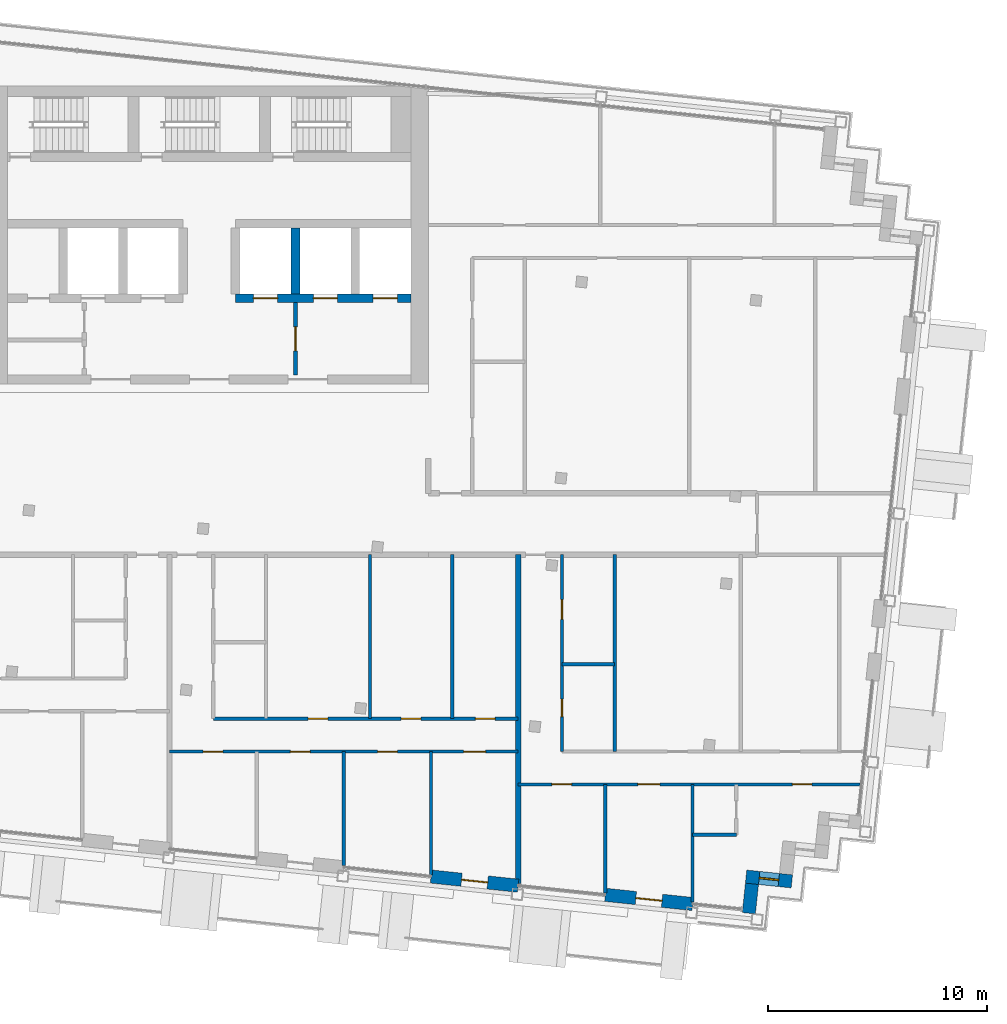
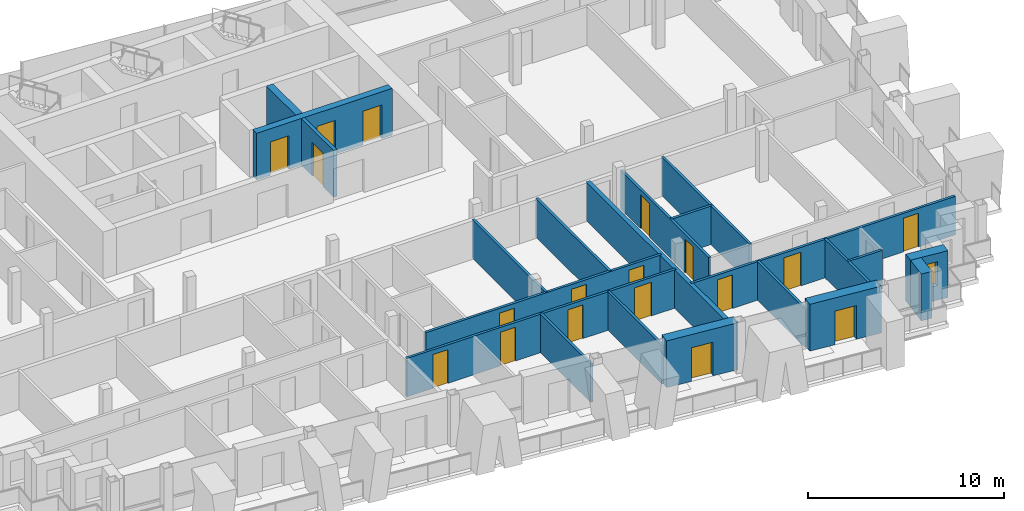
# One storey, part 10 of 17: 21 walls, 18 doors, 1 window, 19 openings.
"""IFC4 building model written with IfcOpenShell, lengths in metres."""

from ifc_helpers import new_model, si_unit, direction, frame, frame_2d, origin, place, context, subcontext, project, spatial, rectangle, extrude, material, layer, layer_set, type_object, element, fill, save


model = new_model("IFC4")

# Units and contexts
model_context = context("Model", 3, precision=1e-05, world=origin(), true_north=direction((0.0, 1.0)))
body_context = subcontext(model_context, "Body", "Model", "MODEL_VIEW")
ifc_project = project(units=[si_unit("LENGTHUNIT", "METRE"), si_unit("AREAUNIT", "SQUARE_METRE"), si_unit("VOLUMEUNIT", "CUBIC_METRE"), si_unit("PLANEANGLEUNIT", "RADIAN"), si_unit("MASSUNIT", "GRAM", prefix="KILO")], contexts=[model_context])

# Site, building, storey
site_placement = place(None, origin())
site = spatial("IfcSite", under=ifc_project, at=site_placement, CompositionType="ELEMENT")
building_placement = place(site_placement, origin())
building = spatial("IfcBuilding", under=site, at=building_placement, Name="Vidyagriha Tower", CompositionType="ELEMENT")
storey_placement = place(building_placement, frame((0.0, 0.0, 262.699951171875)))
storey = spatial("IfcBuildingStorey", under=building, at=storey_placement, Name="L68", CompositionType="ELEMENT", Elevation=262.699951171875)

# Wall, opening, door
ifc_material_1 = material(Name="Precast concrete C40/50 with brick facing", Category="concrete")
ifc_layer_1 = layer(ifc_material_1, 0.60009765625)
ifc_layer_set_1 = layer_set([ifc_layer_1], Name="Precast concrete C40/50 with brick facing")
wall_type_1 = type_object("IfcWallType", Name="Brick-faced precast wall 600", PredefinedType="STANDARD", material=ifc_layer_set_1)
wall_1_placement = place(storey_placement, frame((10.1201171875, -16.085205078125, 0.0), z_axis=(0.0, 0.0, 1.0), x_axis=(0.994519156568, -0.104554517933, 0.0)))
wall_1 = element("IfcWall", 1, at=wall_1_placement, inside=storey, type_object=wall_type_1, Name="Brick door bay wall L68 R21.9", PredefinedType="STANDARD", context=body_context, shape_type="SweptSolid", body=[
    extrude(rectangle(XDim=4.0, YDim=0.60009765625, at=frame_2d((2.0, 0.0))), origin(), (0.0, 0.0, 1.0), 2.920166015625),
])
opening_1_placement = place(wall_1_placement, frame((1.39990234375, 0.0, 0.0)))
opening_1 = element("IfcOpeningElement", 2, at=opening_1_placement, cuts=wall_1, Name="Opening D68-63", PredefinedType="OPENING", context=body_context, shape_type="SweptSolid", body=[
    extrude(rectangle(XDim=1.199951171875, YDim=2.10009765625, at=frame_2d((0.60009765625, 1.050048828125))), frame((0.0, 0.31005859375, 0.0), z_axis=(0.0, -1.0, 0.0), x_axis=(1.0, 0.0, 0.0)), (0.0, 0.0, 1.0), 0.6201171875),
])
ifc_material_2 = material(Name="Aluminium framed glazed sliding door", Category="aluminium")
door_type_1 = type_object("IfcDoorType", Name="Balcony sliding door 1200x2100", OperationType="NOTDEFINED", PredefinedType="DOOR", material=ifc_material_2)
door_1_placement = place(opening_1_placement, origin())
door_1 = element("IfcDoor", 3, at=door_1_placement, inside=storey, type_object=door_type_1, Name="Door D68-63", OperationType="SLIDING_TO_LEFT", OverallHeight=2.10009765625, OverallWidth=1.199951171875, PredefinedType="DOOR", context=body_context, shape_type="SweptSolid", body=[
    extrude(rectangle(XDim=1.199951171875, YDim=2.10009765625, at=frame_2d((0.60009765625, 1.050048828125))), frame((0.0, 0.02490234375, 0.0), z_axis=(0.0, -1.0, 0.0), x_axis=(1.0, 0.0, 0.0)), (0.0, 0.0, 1.0), 0.050048828125),
])
fill(opening_1, door_1)

wall_2_placement = place(storey_placement, frame((18.076171875, -16.92138671875, 0.0), z_axis=(0.0, 0.0, 1.0), x_axis=(0.994519156568, -0.104554517933, 0.0)))
wall_2 = element("IfcWall", 4, at=wall_2_placement, inside=storey, type_object=wall_type_1, Name="Brick door bay wall L68 R21.11", PredefinedType="STANDARD", context=body_context, shape_type="SweptSolid", body=[
    extrude(rectangle(XDim=4.0, YDim=0.60009765625, at=frame_2d((2.0, 0.0))), origin(), (0.0, 0.0, 1.0), 2.920166015625),
])
opening_2_placement = place(wall_2_placement, frame((1.39990234375, 0.0, 0.0)))
opening_2 = element("IfcOpeningElement", 5, at=opening_2_placement, cuts=wall_2, Name="Opening D68-64", PredefinedType="OPENING", context=body_context, shape_type="SweptSolid", body=[
    extrude(rectangle(XDim=1.199951171875, YDim=2.10009765625, at=frame_2d((0.60009765625, 1.050048828125))), frame((0.0, 0.31005859375, 0.0), z_axis=(0.0, -1.0, 0.0), x_axis=(1.0, 0.0, 0.0)), (0.0, 0.0, 1.0), 0.6201171875),
])
door_2_placement = place(opening_2_placement, origin())
door_2 = element("IfcDoor", 6, at=door_2_placement, inside=storey, type_object=door_type_1, Name="Door D68-64", OperationType="SLIDING_TO_LEFT", OverallHeight=2.10009765625, OverallWidth=1.199951171875, PredefinedType="DOOR", context=body_context, shape_type="SweptSolid", body=[
    extrude(rectangle(XDim=1.199951171875, YDim=2.10009765625, at=frame_2d((0.60009765625, 1.050048828125))), frame((0.0, 0.02490234375, 0.0), z_axis=(0.0, -1.0, 0.0), x_axis=(1.0, 0.0, 0.0)), (0.0, 0.0, 1.0), 0.050048828125),
])
fill(opening_2, door_2)

# Wall
wall_3_placement = place(storey_placement, frame((24.62451171875, -17.760498046875, 0.0), z_axis=(0.0, 0.0, 1.0), x_axis=(0.104355269718, 0.994540083497, 0.0)))
element("IfcWall", 7, at=wall_3_placement, inside=storey, type_object=wall_type_1, Name="Stepped corner wall L68 R22", PredefinedType="STANDARD", context=body_context, shape_type="SweptSolid", body=[
    extrude(rectangle(XDim=1.349853515625, YDim=0.60009765625, at=frame_2d((0.6748046875, 0.0))), origin(), (0.0, 0.0, 1.0), 2.920166015625),
])

# Wall, opening, window
wall_4_placement = place(storey_placement, frame((24.49853515625, -16.088134765625, 0.0), z_axis=(0.0, 0.0, 1.0), x_axis=(0.994522640205, -0.104521376379, 0.0)))
wall_4 = element("IfcWall", 8, at=wall_4_placement, inside=storey, type_object=wall_type_1, Name="Stepped corner wall L68 R23", PredefinedType="STANDARD", context=body_context, shape_type="SweptSolid", body=[
    extrude(rectangle(XDim=2.099853515625, YDim=0.60009765625, at=frame_2d((1.0498046875, 0.0))), origin(), (0.0, 0.0, 1.0), 2.920166015625),
])
opening_3_placement = place(wall_4_placement, frame((0.60009765625, 0.0, 0.89990234375)))
opening_3 = element("IfcOpeningElement", 9, at=opening_3_placement, cuts=wall_4, Name="Opening WN1", PredefinedType="OPENING", context=body_context, shape_type="SweptSolid", body=[
    extrude(rectangle(XDim=0.89990234375, YDim=1.5, at=frame_2d((0.449951171875, 0.75))), frame((0.0, 0.31005859375, 0.0), z_axis=(0.0, -1.0, 0.0), x_axis=(1.0, 0.0, 0.0)), (0.0, 0.0, 1.0), 0.6201171875),
])
ifc_material_3 = material(Name="Aluminium and glass window", Category="aluminium")
window_type = type_object("IfcWindowType", Name="Reveal window 900x1500", PartitioningType="NOTDEFINED", PredefinedType="WINDOW", material=ifc_material_3)
window_placement = place(opening_3_placement, origin())
window = element("IfcWindow", 10, at=window_placement, inside=storey, type_object=window_type, Name="Reveal window L68 R23", OverallHeight=1.5, OverallWidth=0.89990234375, PartitioningType="SINGLE_PANEL", PredefinedType="WINDOW", context=body_context, shape_type="SweptSolid", body=[
    extrude(rectangle(XDim=0.89990234375, YDim=1.5, at=frame_2d((0.449951171875, 0.75))), frame((0.0, 0.030029296875, 0.0), z_axis=(0.0, -1.0, 0.0), x_axis=(1.0, 0.0, 0.0)), (0.0, 0.0, 1.0), 0.06005859375),
])
fill(opening_3, window)

# Wall, openings, doors
ifc_material_4 = material(Name="Concrete C60/75", Category="concrete")
ifc_layer_2 = layer(ifc_material_4, 0.39990234375)
ifc_layer_set_2 = layer_set([ifc_layer_2], Name="Concrete C60/75")
wall_type_2 = type_object("IfcWallType", Name="Core shear wall 400 mm", PredefinedType="SHEAR", material=ifc_layer_set_2)
wall_5_placement = place(storey_placement, frame((1.199951171875, 10.300048828125, 0.0)))
wall_5 = element("IfcWall", 11, at=wall_5_placement, inside=storey, type_object=wall_type_2, Name="Core row N front wall", PredefinedType="SHEAR", context=body_context, shape_type="SweptSolid", body=[
    extrude(rectangle(XDim=8.0, YDim=0.39990234375, at=frame_2d((4.0, 0.0))), origin(), (0.0, 0.0, 1.0), 2.920166015625),
])
opening_4_placement = place(wall_5_placement, frame((0.816650390625, 0.0, 0.0)))
opening_4 = element("IfcOpeningElement", 12, at=opening_4_placement, cuts=wall_5, Name="Opening LD68-03", PredefinedType="OPENING", context=body_context, shape_type="SweptSolid", body=[
    extrude(rectangle(XDim=1.10009765625, YDim=2.10009765625, at=frame_2d((0.550048828125, 1.050048828125))), frame((0.0, 0.2099609375, 0.0), z_axis=(0.0, -1.0, 0.0), x_axis=(1.0, 0.0, 0.0)), (0.0, 0.0, 1.0), 0.419921875),
])
opening_5_placement = place(wall_5_placement, frame((3.550048828125, 0.0, 0.0)))
opening_5 = element("IfcOpeningElement", 13, at=opening_5_placement, cuts=wall_5, Name="Opening LD68-04", PredefinedType="OPENING", context=body_context, shape_type="SweptSolid", body=[
    extrude(rectangle(XDim=1.10009765625, YDim=2.10009765625, at=frame_2d((0.550048828125, 1.050048828125))), frame((0.0, 0.2099609375, 0.0), z_axis=(0.0, -1.0, 0.0), x_axis=(1.0, 0.0, 0.0)), (0.0, 0.0, 1.0), 0.419921875),
])
opening_6_placement = place(wall_5_placement, frame((6.283203125, 0.0, 0.0)))
opening_6 = element("IfcOpeningElement", 14, at=opening_6_placement, cuts=wall_5, Name="Opening LD68-05", PredefinedType="OPENING", context=body_context, shape_type="SweptSolid", body=[
    extrude(rectangle(XDim=1.10009765625, YDim=2.10009765625, at=frame_2d((0.550048828125, 1.050048828125))), frame((0.0, 0.2099609375, 0.0), z_axis=(0.0, -1.0, 0.0), x_axis=(1.0, 0.0, 0.0)), (0.0, 0.0, 1.0), 0.419921875),
])
ifc_material_5 = material(Name="Stainless steel sliding door panel", Category="steel")
door_type_2 = type_object("IfcDoorType", Name="Lift landing door 1100 x 2100 mm EI 90", OperationType="NOTDEFINED", PredefinedType="DOOR", material=ifc_material_5)
door_3_placement = place(opening_4_placement, origin())
door_3 = element("IfcDoor", 15, at=door_3_placement, inside=storey, type_object=door_type_2, Name="Landing door HR3 L68", OperationType="SLIDING_TO_LEFT", OverallHeight=2.10009765625, OverallWidth=1.10009765625, PredefinedType="DOOR", context=body_context, shape_type="SweptSolid", body=[
    extrude(rectangle(XDim=1.10009765625, YDim=2.10009765625, at=frame_2d((0.550048828125, 1.050048828125))), frame((0.0, 0.02490234375, 0.0), z_axis=(0.0, -1.0, 0.0), x_axis=(1.0, 0.0, 0.0)), (0.0, 0.0, 1.0), 0.050048828125),
])
fill(opening_4, door_3)
door_4_placement = place(opening_5_placement, origin())
door_4 = element("IfcDoor", 16, at=door_4_placement, inside=storey, type_object=door_type_2, Name="Landing door FF1 L68", OperationType="SLIDING_TO_LEFT", OverallHeight=2.10009765625, OverallWidth=1.10009765625, PredefinedType="DOOR", context=body_context, shape_type="SweptSolid", body=[
    extrude(rectangle(XDim=1.10009765625, YDim=2.10009765625, at=frame_2d((0.550048828125, 1.050048828125))), frame((0.0, 0.02490234375, 0.0), z_axis=(0.0, -1.0, 0.0), x_axis=(1.0, 0.0, 0.0)), (0.0, 0.0, 1.0), 0.050048828125),
])
fill(opening_5, door_4)
door_5_placement = place(opening_6_placement, origin())
door_5 = element("IfcDoor", 17, at=door_5_placement, inside=storey, type_object=door_type_2, Name="Landing door FF2 L68", OperationType="SLIDING_TO_LEFT", OverallHeight=2.10009765625, OverallWidth=1.10009765625, PredefinedType="DOOR", context=body_context, shape_type="SweptSolid", body=[
    extrude(rectangle(XDim=1.10009765625, YDim=2.10009765625, at=frame_2d((0.550048828125, 1.050048828125))), frame((0.0, 0.02490234375, 0.0), z_axis=(0.0, -1.0, 0.0), x_axis=(1.0, 0.0, 0.0)), (0.0, 0.0, 1.0), 0.050048828125),
])
fill(opening_6, door_5)

# Walls
wall_6_placement = place(storey_placement, frame((3.933349609375, 10.5, 0.0), z_axis=(0.0, 0.0, 1.0), x_axis=(0.0, 1.0, 0.0)))
element("IfcWall", 18, at=wall_6_placement, inside=storey, type_object=wall_type_2, Name="Core bay wall N5", PredefinedType="SHEAR", context=body_context, shape_type="SweptSolid", body=[
    extrude(rectangle(XDim=3.0, YDim=0.39990234375, at=frame_2d((1.5, 0.0))), origin(), (0.0, 0.0, 1.0), 2.920166015625),
])
ifc_material_6 = material(Name="Fired clay brick masonry", Category="masonry")
ifc_layer_3 = layer(ifc_material_6, 0.25)
ifc_layer_set_3 = layer_set([ifc_layer_3], Name="Fired clay brick masonry")
wall_type_3 = type_object("IfcWallType", Name="Fired clay brick demising wall 250", PredefinedType="PARTITIONING", material=ifc_layer_set_3)
wall_7_placement = place(storey_placement, frame((14.097900390625, -1.39990234375, 0.0), z_axis=(0.0, 0.0, 1.0), x_axis=(0.0, -1.0, 0.0)))
element("IfcWall", 19, at=wall_7_placement, inside=storey, type_object=wall_type_3, Name="Wall all-L68-w063", PredefinedType="PARTITIONING", context=body_context, shape_type="SweptSolid", body=[
    extrude(rectangle(XDim=15.012939453125, YDim=0.25, at=frame_2d((7.50634765625, 0.0))), origin(), (0.0, 0.0, 1.0), 2.400146484375),
])
ifc_material_7 = material(Name="Gypsum board partition")
ifc_layer_4 = layer(ifc_material_7, 0.14990234375)
ifc_layer_set_4 = layer_set([ifc_layer_4], Name="Gypsum board partition")
wall_type_4 = type_object("IfcWallType", Name="Gypsum board partition 150", PredefinedType="PARTITIONING", material=ifc_layer_set_4)
for number, where, z_axis, x_axis, name in (
    (20, (7.3359375, -1.39990234375, 0.0), (0.0, 0.0, 1.0), (0.0, -1.0, 0.0), "Wall all-L68-w026"),
    (21, (11.0859375, -1.39990234375, 0.0), (0.0, 0.0, 1.0), (0.0, -1.0, 0.0), "Wall all-L68-w027"),
):
    element("IfcWall", number, at=place(storey_placement, frame(where, z_axis=z_axis, x_axis=x_axis)), inside=storey, type_object=wall_type_4, Name=name, PredefinedType="PARTITIONING", context=body_context, shape_type="SweptSolid", body=[
        extrude(rectangle(XDim=7.483642578125, YDim=0.14990234375, at=frame_2d((3.74169921875, 0.0))), origin(), (0.0, 0.0, 1.0), 2.400146484375),
    ])

# Wall, openings, doors
wall_8_placement = place(storey_placement, frame((0.18603515625, -8.883544921875, 0.0)))
wall_8 = element("IfcWall", 22, at=wall_8_placement, inside=storey, type_object=wall_type_4, Name="Wall all-L68-w028", PredefinedType="PARTITIONING", context=body_context, shape_type="SweptSolid", body=[
    extrude(rectangle(XDim=13.911865234375, YDim=0.14990234375, at=frame_2d((6.9560546875, 0.0))), origin(), (0.0, 0.0, 1.0), 2.400146484375),
])
opening_7_placement = place(wall_8_placement, frame((4.324951171875, 0.0, 0.0)))
opening_7 = element("IfcOpeningElement", 23, at=opening_7_placement, cuts=wall_8, Name="Opening D68-23", PredefinedType="OPENING", context=body_context, shape_type="SweptSolid", body=[
    extrude(rectangle(XDim=0.89990234375, YDim=2.10009765625, at=frame_2d((0.449951171875, 1.050048828125))), frame((0.0, 0.0849609375, 0.0), z_axis=(0.0, -1.0, 0.0), x_axis=(1.0, 0.0, 0.0)), (0.0, 0.0, 1.0), 0.169921875),
])
opening_8_placement = place(wall_8_placement, frame((8.574951171875, 0.0, 0.0)))
opening_8 = element("IfcOpeningElement", 24, at=opening_8_placement, cuts=wall_8, Name="Opening D68-24", PredefinedType="OPENING", context=body_context, shape_type="SweptSolid", body=[
    extrude(rectangle(XDim=0.89990234375, YDim=2.10009765625, at=frame_2d((0.449951171875, 1.050048828125))), frame((0.0, 0.0849609375, 0.0), z_axis=(0.0, -1.0, 0.0), x_axis=(1.0, 0.0, 0.0)), (0.0, 0.0, 1.0), 0.169921875),
])
opening_9_placement = place(wall_8_placement, frame((11.9560546875, 0.0, 0.0)))
opening_9 = element("IfcOpeningElement", 25, at=opening_9_placement, cuts=wall_8, Name="Opening D68-25", PredefinedType="OPENING", context=body_context, shape_type="SweptSolid", body=[
    extrude(rectangle(XDim=0.89990234375, YDim=2.10009765625, at=frame_2d((0.449951171875, 1.050048828125))), frame((0.0, 0.0849609375, 0.0), z_axis=(0.0, -1.0, 0.0), x_axis=(1.0, 0.0, 0.0)), (0.0, 0.0, 1.0), 0.169921875),
])
ifc_material_8 = material(Name="Timber door leaf", Category="wood")
door_type_3 = type_object("IfcDoorType", Name="Room door 900x2100", OperationType="NOTDEFINED", PredefinedType="DOOR", material=ifc_material_8)
door_6_placement = place(opening_7_placement, origin())
door_6 = element("IfcDoor", 26, at=door_6_placement, inside=storey, type_object=door_type_3, Name="Door D68-23", OperationType="SINGLE_SWING_RIGHT", OverallHeight=2.10009765625, OverallWidth=0.89990234375, PredefinedType="DOOR", context=body_context, shape_type="SweptSolid", body=[
    extrude(rectangle(XDim=0.89990234375, YDim=2.10009765625, at=frame_2d((0.449951171875, 1.050048828125))), frame((0.0, 0.02490234375, 0.0), z_axis=(0.0, -1.0, 0.0), x_axis=(1.0, 0.0, 0.0)), (0.0, 0.0, 1.0), 0.050048828125),
])
fill(opening_7, door_6)
door_7_placement = place(opening_8_placement, origin())
door_7 = element("IfcDoor", 27, at=door_7_placement, inside=storey, type_object=door_type_3, Name="Door D68-24", OperationType="SINGLE_SWING_RIGHT", OverallHeight=2.10009765625, OverallWidth=0.89990234375, PredefinedType="DOOR", context=body_context, shape_type="SweptSolid", body=[
    extrude(rectangle(XDim=0.89990234375, YDim=2.10009765625, at=frame_2d((0.449951171875, 1.050048828125))), frame((0.0, 0.02490234375, 0.0), z_axis=(0.0, -1.0, 0.0), x_axis=(1.0, 0.0, 0.0)), (0.0, 0.0, 1.0), 0.050048828125),
])
fill(opening_8, door_7)
door_8_placement = place(opening_9_placement, origin())
door_8 = element("IfcDoor", 28, at=door_8_placement, inside=storey, type_object=door_type_3, Name="Door D68-25", OperationType="SINGLE_SWING_RIGHT", OverallHeight=2.10009765625, OverallWidth=0.89990234375, PredefinedType="DOOR", context=body_context, shape_type="SweptSolid", body=[
    extrude(rectangle(XDim=0.89990234375, YDim=2.10009765625, at=frame_2d((0.449951171875, 1.050048828125))), frame((0.0, 0.02490234375, 0.0), z_axis=(0.0, -1.0, 0.0), x_axis=(1.0, 0.0, 0.0)), (0.0, 0.0, 1.0), 0.050048828125),
])
fill(opening_9, door_8)

wall_9_placement = place(storey_placement, frame((14.097900390625, -10.383544921875, 0.0), z_axis=(0.0, 0.0, 1.0), x_axis=(-1.0, 0.0, 0.0)))
wall_9 = element("IfcWall", 29, at=wall_9_placement, inside=storey, type_object=wall_type_4, Name="Wall all-L68-w032", PredefinedType="PARTITIONING", context=body_context, shape_type="SweptSolid", body=[
    extrude(rectangle(XDim=15.911865234375, YDim=0.14990234375, at=frame_2d((7.9560546875, 0.0))), origin(), (0.0, 0.0, 1.0), 2.400146484375),
])
opening_10_placement = place(wall_9_placement, frame((13.47314453125, 0.0, 0.0)))
opening_10 = element("IfcOpeningElement", 30, at=opening_10_placement, cuts=wall_9, Name="Opening D68-26", PredefinedType="OPENING", context=body_context, shape_type="SweptSolid", body=[
    extrude(rectangle(XDim=0.89990234375, YDim=2.10009765625, at=frame_2d((0.449951171875, 1.050048828125))), frame((0.0, 0.0849609375, 0.0), z_axis=(0.0, -1.0, 0.0), x_axis=(1.0, 0.0, 0.0)), (0.0, 0.0, 1.0), 0.169921875),
])
opening_11_placement = place(wall_9_placement, frame((9.4951171875, 0.0, 0.0)))
opening_11 = element("IfcOpeningElement", 31, at=opening_11_placement, cuts=wall_9, Name="Opening D68-27", PredefinedType="OPENING", context=body_context, shape_type="SweptSolid", body=[
    extrude(rectangle(XDim=0.89990234375, YDim=2.10009765625, at=frame_2d((0.449951171875, 1.050048828125))), frame((0.0, 0.0849609375, 0.0), z_axis=(0.0, -1.0, 0.0), x_axis=(1.0, 0.0, 0.0)), (0.0, 0.0, 1.0), 0.169921875),
])
opening_12_placement = place(wall_9_placement, frame((5.51708984375, 0.0, 0.0)))
opening_12 = element("IfcOpeningElement", 32, at=opening_12_placement, cuts=wall_9, Name="Opening D68-28", PredefinedType="OPENING", context=body_context, shape_type="SweptSolid", body=[
    extrude(rectangle(XDim=0.89990234375, YDim=2.10009765625, at=frame_2d((0.449951171875, 1.050048828125))), frame((0.0, 0.0849609375, 0.0), z_axis=(0.0, -1.0, 0.0), x_axis=(1.0, 0.0, 0.0)), (0.0, 0.0, 1.0), 0.169921875),
])
opening_13_placement = place(wall_9_placement, frame((1.489013671875, 0.0, 0.0)))
opening_13 = element("IfcOpeningElement", 33, at=opening_13_placement, cuts=wall_9, Name="Opening D68-29", PredefinedType="OPENING", context=body_context, shape_type="SweptSolid", body=[
    extrude(rectangle(XDim=1.0, YDim=2.10009765625, at=frame_2d((0.5, 1.050048828125))), frame((0.0, 0.0849609375, 0.0), z_axis=(0.0, -1.0, 0.0), x_axis=(1.0, 0.0, 0.0)), (0.0, 0.0, 1.0), 0.169921875),
])
ifc_material_9 = material(Name="Timber door leaf", Category="wood")
door_type_4 = type_object("IfcDoorType", Name="Room door 1000x2100", OperationType="NOTDEFINED", PredefinedType="DOOR", material=ifc_material_9)
door_9_placement = place(opening_13_placement, origin())
door_9 = element("IfcDoor", 34, at=door_9_placement, inside=storey, type_object=door_type_4, Name="Door D68-29", OperationType="SINGLE_SWING_RIGHT", OverallHeight=2.10009765625, OverallWidth=1.0, PredefinedType="DOOR", context=body_context, shape_type="SweptSolid", body=[
    extrude(rectangle(XDim=1.0, YDim=2.10009765625, at=frame_2d((0.5, 1.050048828125))), frame((0.0, 0.02490234375, 0.0), z_axis=(0.0, -1.0, 0.0), x_axis=(1.0, 0.0, 0.0)), (0.0, 0.0, 1.0), 0.050048828125),
])
fill(opening_13, door_9)
door_10_placement = place(opening_10_placement, origin())
door_10 = element("IfcDoor", 35, at=door_10_placement, inside=storey, type_object=door_type_3, Name="Door D68-26", OperationType="SINGLE_SWING_RIGHT", OverallHeight=2.10009765625, OverallWidth=0.89990234375, PredefinedType="DOOR", context=body_context, shape_type="SweptSolid", body=[
    extrude(rectangle(XDim=0.89990234375, YDim=2.10009765625, at=frame_2d((0.449951171875, 1.050048828125))), frame((0.0, 0.02490234375, 0.0), z_axis=(0.0, -1.0, 0.0), x_axis=(1.0, 0.0, 0.0)), (0.0, 0.0, 1.0), 0.050048828125),
])
fill(opening_10, door_10)
door_11_placement = place(opening_11_placement, origin())
door_11 = element("IfcDoor", 36, at=door_11_placement, inside=storey, type_object=door_type_3, Name="Door D68-27", OperationType="SINGLE_SWING_LEFT", OverallHeight=2.10009765625, OverallWidth=0.89990234375, PredefinedType="DOOR", context=body_context, shape_type="SweptSolid", body=[
    extrude(rectangle(XDim=0.89990234375, YDim=2.10009765625, at=frame_2d((0.449951171875, 1.050048828125))), frame((0.0, 0.02490234375, 0.0), z_axis=(0.0, -1.0, 0.0), x_axis=(1.0, 0.0, 0.0)), (0.0, 0.0, 1.0), 0.050048828125),
])
fill(opening_11, door_11)
door_12_placement = place(opening_12_placement, origin())
door_12 = element("IfcDoor", 37, at=door_12_placement, inside=storey, type_object=door_type_3, Name="Door D68-28", OperationType="SINGLE_SWING_LEFT", OverallHeight=2.10009765625, OverallWidth=0.89990234375, PredefinedType="DOOR", context=body_context, shape_type="SweptSolid", body=[
    extrude(rectangle(XDim=0.89990234375, YDim=2.10009765625, at=frame_2d((0.449951171875, 1.050048828125))), frame((0.0, 0.02490234375, 0.0), z_axis=(0.0, -1.0, 0.0), x_axis=(1.0, 0.0, 0.0)), (0.0, 0.0, 1.0), 0.050048828125),
])
fill(opening_12, door_12)

# Walls
wall_10_placement = place(storey_placement, frame((6.141845703125, -10.383544921875, 0.0), z_axis=(0.0, 0.0, 1.0), x_axis=(0.0, -1.0, 0.0)))
element("IfcWall", 38, at=wall_10_placement, inside=storey, type_object=wall_type_4, Name="Wall all-L68-w038", PredefinedType="PARTITIONING", context=body_context, shape_type="SweptSolid", body=[
    extrude(rectangle(XDim=5.193115234375, YDim=0.14990234375, at=frame_2d((2.5966796875, 0.0))), origin(), (0.0, 0.0, 1.0), 2.400146484375),
])
wall_11_placement = place(storey_placement, frame((10.1201171875, -10.383544921875, 0.0), z_axis=(0.0, 0.0, 1.0), x_axis=(0.0, -1.0, 0.0)))
element("IfcWall", 39, at=wall_11_placement, inside=storey, type_object=wall_type_4, Name="Wall all-L68-w039", PredefinedType="PARTITIONING", context=body_context, shape_type="SweptSolid", body=[
    extrude(rectangle(XDim=5.6220703125, YDim=0.14990234375, at=frame_2d((2.81103515625, 0.0))), origin(), (0.0, 0.0, 1.0), 2.400146484375),
])
wall_12_placement = place(storey_placement, frame((18.498046875, -6.39990234375, 0.0), z_axis=(0.0, 0.0, 1.0), x_axis=(-1.0, 0.0, 0.0)))
element("IfcWall", 40, at=wall_12_placement, inside=storey, type_object=wall_type_4, Name="Wall all-L68-w045", PredefinedType="PARTITIONING", context=body_context, shape_type="SweptSolid", body=[
    extrude(rectangle(XDim=2.400146484375, YDim=0.14990234375, at=frame_2d((1.2001953125, 0.0))), origin(), (0.0, 0.0, 1.0), 2.400146484375),
])
wall_13_placement = place(storey_placement, frame((18.498046875, -1.39990234375, 0.0), z_axis=(0.0, 0.0, 1.0), x_axis=(0.0, -1.0, 0.0)))
element("IfcWall", 41, at=wall_13_placement, inside=storey, type_object=wall_type_4, Name="Wall all-L68-w046", PredefinedType="PARTITIONING", context=body_context, shape_type="SweptSolid", body=[
    extrude(rectangle(XDim=8.981689453125, YDim=0.14990234375, at=frame_2d((4.49072265625, 0.0))), origin(), (0.0, 0.0, 1.0), 2.400146484375),
])

# Wall, openings, doors
wall_14_placement = place(storey_placement, frame((29.6875, -11.881591796875, 0.0), z_axis=(0.0, 0.0, 1.0), x_axis=(-1.0, 0.0, 0.0)))
wall_14 = element("IfcWall", 42, at=wall_14_placement, inside=storey, type_object=wall_type_4, Name="Wall all-L68-w053", PredefinedType="PARTITIONING", context=body_context, shape_type="SweptSolid", body=[
    extrude(rectangle(XDim=15.589599609375, YDim=0.14990234375, at=frame_2d((7.794921875, 0.0))), origin(), (0.0, 0.0, 1.0), 2.400146484375),
])
opening_14_placement = place(wall_14_placement, frame((13.150390625, 0.0, 0.0)))
opening_14 = element("IfcOpeningElement", 43, at=opening_14_placement, cuts=wall_14, Name="Opening D68-36", PredefinedType="OPENING", context=body_context, shape_type="SweptSolid", body=[
    extrude(rectangle(XDim=0.89990234375, YDim=2.10009765625, at=frame_2d((0.449951171875, 1.050048828125))), frame((0.0, 0.0849609375, 0.0), z_axis=(0.0, -1.0, 0.0), x_axis=(1.0, 0.0, 0.0)), (0.0, 0.0, 1.0), 0.169921875),
])
opening_15_placement = place(wall_14_placement, frame((9.122314453125, 0.0, 0.0)))
opening_15 = element("IfcOpeningElement", 44, at=opening_15_placement, cuts=wall_14, Name="Opening D68-37", PredefinedType="OPENING", context=body_context, shape_type="SweptSolid", body=[
    extrude(rectangle(XDim=1.0, YDim=2.10009765625, at=frame_2d((0.5, 1.050048828125))), frame((0.0, 0.0849609375, 0.0), z_axis=(0.0, -1.0, 0.0), x_axis=(1.0, 0.0, 0.0)), (0.0, 0.0, 1.0), 0.169921875),
])
opening_16_placement = place(wall_14_placement, frame((2.181884765625, 0.0, 0.0)))
opening_16 = element("IfcOpeningElement", 45, at=opening_16_placement, cuts=wall_14, Name="Opening D68-38", PredefinedType="OPENING", context=body_context, shape_type="SweptSolid", body=[
    extrude(rectangle(XDim=0.89990234375, YDim=2.10009765625, at=frame_2d((0.449951171875, 1.050048828125))), frame((0.0, 0.0849609375, 0.0), z_axis=(0.0, -1.0, 0.0), x_axis=(1.0, 0.0, 0.0)), (0.0, 0.0, 1.0), 0.169921875),
])
door_13_placement = place(opening_15_placement, origin())
door_13 = element("IfcDoor", 46, at=door_13_placement, inside=storey, type_object=door_type_4, Name="Door D68-37", OperationType="SINGLE_SWING_RIGHT", OverallHeight=2.10009765625, OverallWidth=1.0, PredefinedType="DOOR", context=body_context, shape_type="SweptSolid", body=[
    extrude(rectangle(XDim=1.0, YDim=2.10009765625, at=frame_2d((0.5, 1.050048828125))), frame((0.0, 0.02490234375, 0.0), z_axis=(0.0, -1.0, 0.0), x_axis=(1.0, 0.0, 0.0)), (0.0, 0.0, 1.0), 0.050048828125),
])
fill(opening_15, door_13)
door_14_placement = place(opening_14_placement, origin())
door_14 = element("IfcDoor", 47, at=door_14_placement, inside=storey, type_object=door_type_3, Name="Door D68-36", OperationType="SINGLE_SWING_RIGHT", OverallHeight=2.10009765625, OverallWidth=0.89990234375, PredefinedType="DOOR", context=body_context, shape_type="SweptSolid", body=[
    extrude(rectangle(XDim=0.89990234375, YDim=2.10009765625, at=frame_2d((0.449951171875, 1.050048828125))), frame((0.0, 0.02490234375, 0.0), z_axis=(0.0, -1.0, 0.0), x_axis=(1.0, 0.0, 0.0)), (0.0, 0.0, 1.0), 0.050048828125),
])
fill(opening_14, door_14)
door_15_placement = place(opening_16_placement, origin())
door_15 = element("IfcDoor", 48, at=door_15_placement, inside=storey, type_object=door_type_3, Name="Door D68-38", OperationType="SINGLE_SWING_LEFT", OverallHeight=2.10009765625, OverallWidth=0.89990234375, PredefinedType="DOOR", context=body_context, shape_type="SweptSolid", body=[
    extrude(rectangle(XDim=0.89990234375, YDim=2.10009765625, at=frame_2d((0.449951171875, 1.050048828125))), frame((0.0, 0.02490234375, 0.0), z_axis=(0.0, -1.0, 0.0), x_axis=(1.0, 0.0, 0.0)), (0.0, 0.0, 1.0), 0.050048828125),
])
fill(opening_16, door_15)

# Walls
wall_15_placement = place(storey_placement, frame((18.076171875, -11.881591796875, 0.0), z_axis=(0.0, 0.0, 1.0), x_axis=(0.0, -1.0, 0.0)))
element("IfcWall", 49, at=wall_15_placement, inside=storey, type_object=wall_type_4, Name="Wall all-L68-w057", PredefinedType="PARTITIONING", context=body_context, shape_type="SweptSolid", body=[
    extrude(rectangle(XDim=4.96044921875, YDim=0.14990234375, at=frame_2d((2.480224609375, 0.0))), origin(), (0.0, 0.0, 1.0), 2.400146484375),
])
wall_16_placement = place(storey_placement, frame((22.05419921875, -11.881591796875, 0.0), z_axis=(0.0, 0.0, 1.0), x_axis=(0.0, -1.0, 0.0)))
element("IfcWall", 50, at=wall_16_placement, inside=storey, type_object=wall_type_4, Name="Wall all-L68-w058", PredefinedType="PARTITIONING", context=body_context, shape_type="SweptSolid", body=[
    extrude(rectangle(XDim=5.367431640625, YDim=0.14990234375, at=frame_2d((2.68359375, 0.0))), origin(), (0.0, 0.0, 1.0), 2.400146484375),
])
wall_17_placement = place(storey_placement, frame((24.05419921875, -14.181640625, 0.0), z_axis=(0.0, 0.0, 1.0), x_axis=(-1.0, 0.0, 0.0)))
element("IfcWall", 51, at=wall_17_placement, inside=storey, type_object=wall_type_4, Name="Wall all-L68-w060", PredefinedType="PARTITIONING", context=body_context, shape_type="SweptSolid", body=[
    extrude(rectangle(XDim=2.0, YDim=0.14990234375, at=frame_2d((1.0, 0.0))), origin(), (0.0, 0.0, 1.0), 2.400146484375),
])

# Wall, openings, doors
ifc_material_10 = material(Name="Moisture resistant gypsum board partition")
ifc_layer_5 = layer(ifc_material_10, 0.14990234375)
ifc_layer_set_5 = layer_set([ifc_layer_5], Name="Moisture resistant gypsum board partition")
wall_type_5 = type_object("IfcWallType", Name="Gypsum board wet-area partition 150", PredefinedType="PARTITIONING", material=ifc_layer_set_5)
wall_18_placement = place(storey_placement, frame((16.097900390625, -1.39990234375, 0.0), z_axis=(0.0, 0.0, 1.0), x_axis=(0.0, -1.0, 0.0)))
wall_18 = element("IfcWall", 52, at=wall_18_placement, inside=storey, type_object=wall_type_5, Name="Wall all-L68-w042", PredefinedType="PARTITIONING", context=body_context, shape_type="SweptSolid", body=[
    extrude(rectangle(XDim=8.981689453125, YDim=0.14990234375, at=frame_2d((4.49072265625, 0.0))), origin(), (0.0, 0.0, 1.0), 2.400146484375),
])
opening_17_placement = place(wall_18_placement, frame((2.050048828125, 0.0, 0.0)))
opening_17 = element("IfcOpeningElement", 53, at=opening_17_placement, cuts=wall_18, Name="Opening D68-31", PredefinedType="OPENING", context=body_context, shape_type="SweptSolid", body=[
    extrude(rectangle(XDim=0.89990234375, YDim=2.10009765625, at=frame_2d((0.449951171875, 1.050048828125))), frame((0.0, 0.0849609375, 0.0), z_axis=(0.0, -1.0, 0.0), x_axis=(1.0, 0.0, 0.0)), (0.0, 0.0, 1.0), 0.169921875),
])
opening_18_placement = place(wall_18_placement, frame((6.5908203125, 0.0, 0.0)))
opening_18 = element("IfcOpeningElement", 54, at=opening_18_placement, cuts=wall_18, Name="Opening D68-32", PredefinedType="OPENING", context=body_context, shape_type="SweptSolid", body=[
    extrude(rectangle(XDim=0.800048828125, YDim=2.10009765625, at=frame_2d((0.39990234375, 1.050048828125))), frame((0.0, 0.0849609375, 0.0), z_axis=(0.0, -1.0, 0.0), x_axis=(1.0, 0.0, 0.0)), (0.0, 0.0, 1.0), 0.169921875),
])
ifc_material_11 = material(Name="Timber door leaf", Category="wood")
door_type_5 = type_object("IfcDoorType", Name="Bathroom door 800x2100", OperationType="NOTDEFINED", PredefinedType="DOOR", material=ifc_material_11)
door_16_placement = place(opening_18_placement, origin())
door_16 = element("IfcDoor", 55, at=door_16_placement, inside=storey, type_object=door_type_5, Name="Door D68-32", OperationType="SINGLE_SWING_RIGHT", OverallHeight=2.10009765625, OverallWidth=0.800048828125, PredefinedType="DOOR", context=body_context, shape_type="SweptSolid", body=[
    extrude(rectangle(XDim=0.800048828125, YDim=2.10009765625, at=frame_2d((0.39990234375, 1.050048828125))), frame((0.0, 0.02490234375, 0.0), z_axis=(0.0, -1.0, 0.0), x_axis=(1.0, 0.0, 0.0)), (0.0, 0.0, 1.0), 0.050048828125),
])
fill(opening_18, door_16)
ifc_material_12 = material(Name="Timber door leaf", Category="wood")
door_type_6 = type_object("IfcDoorType", Name="Kitchen door 900x2100", OperationType="NOTDEFINED", PredefinedType="DOOR", material=ifc_material_12)
door_17_placement = place(opening_17_placement, origin())
door_17 = element("IfcDoor", 56, at=door_17_placement, inside=storey, type_object=door_type_6, Name="Door D68-31", OperationType="SINGLE_SWING_LEFT", OverallHeight=2.10009765625, OverallWidth=0.89990234375, PredefinedType="DOOR", context=body_context, shape_type="SweptSolid", body=[
    extrude(rectangle(XDim=0.89990234375, YDim=2.10009765625, at=frame_2d((0.449951171875, 1.050048828125))), frame((0.0, 0.02490234375, 0.0), z_axis=(0.0, -1.0, 0.0), x_axis=(1.0, 0.0, 0.0)), (0.0, 0.0, 1.0), 0.050048828125),
])
fill(opening_17, door_17)

# Wall, opening, door
ifc_material_13 = material(Name="Blockwork 15 MPa", Category="masonry")
ifc_layer_6 = layer(ifc_material_13, 0.199951171875)
ifc_layer_set_6 = layer_set([ifc_layer_6], Name="Blockwork 15 MPa")
wall_type_6 = type_object("IfcWallType", Name="Service room partition 200 mm", PredefinedType="PARTITIONING", material=ifc_layer_set_6)
wall_19_placement = place(storey_placement, frame((3.933349609375, 6.800048828125, 0.0), z_axis=(0.0, 0.0, 1.0), x_axis=(0.0, 1.0, 0.0)))
wall_19 = element("IfcWall", 57, at=wall_19_placement, inside=storey, type_object=wall_type_6, Name="Fire-fighting lobby west wall", PredefinedType="PARTITIONING", context=body_context, shape_type="SweptSolid", body=[
    extrude(rectangle(XDim=3.300048828125, YDim=0.199951171875, at=frame_2d((1.64990234375, 0.0))), origin(), (0.0, 0.0, 1.0), 2.920166015625),
])
opening_19_placement = place(wall_19_placement, frame((1.10009765625, 0.0, 0.0)))
opening_19 = element("IfcOpeningElement", 58, at=opening_19_placement, cuts=wall_19, Name="Opening D68-05", PredefinedType="OPENING", context=body_context, shape_type="SweptSolid", body=[
    extrude(rectangle(XDim=1.10009765625, YDim=2.10009765625, at=frame_2d((0.550048828125, 1.050048828125))), frame((0.0, 0.10986328125, 0.0), z_axis=(0.0, -1.0, 0.0), x_axis=(1.0, 0.0, 0.0)), (0.0, 0.0, 1.0), 0.219970703125),
])
ifc_material_14 = material(Name="Hollow metal door leaf")
door_type_7 = type_object("IfcDoorType", Name="Fire-fighting lobby door 1100 x 2100 mm EI 90", OperationType="NOTDEFINED", PredefinedType="DOOR", material=ifc_material_14)
door_18_placement = place(opening_19_placement, origin())
door_18 = element("IfcDoor", 59, at=door_18_placement, inside=storey, type_object=door_type_7, Name="Fire-fighting lobby door L68", OperationType="SINGLE_SWING_RIGHT", OverallHeight=2.10009765625, OverallWidth=1.10009765625, PredefinedType="DOOR", context=body_context, shape_type="SweptSolid", body=[
    extrude(rectangle(XDim=1.10009765625, YDim=2.10009765625, at=frame_2d((0.550048828125, 1.050048828125))), frame((0.0, 0.02490234375, 0.0), z_axis=(0.0, -1.0, 0.0), x_axis=(1.0, 0.0, 0.0)), (0.0, 0.0, 1.0), 0.050048828125),
])
fill(opening_19, door_18)

save(model, "model.ifc")
